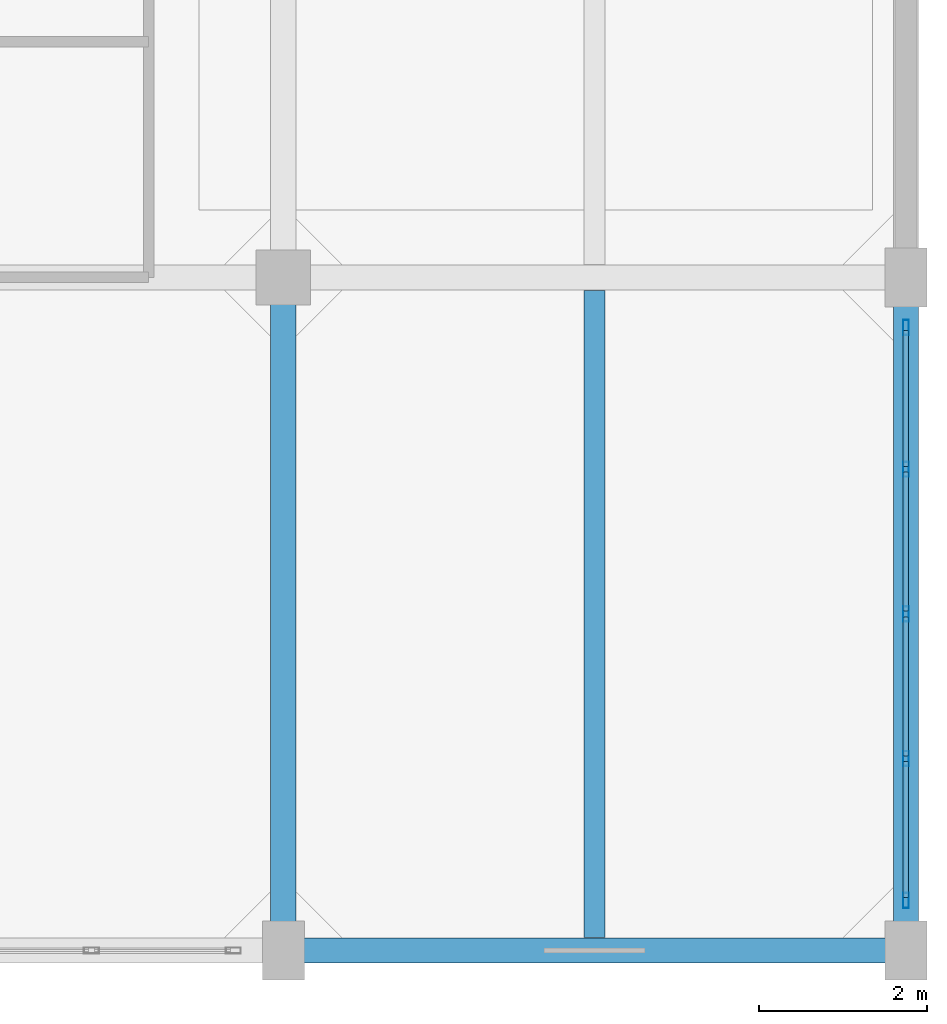
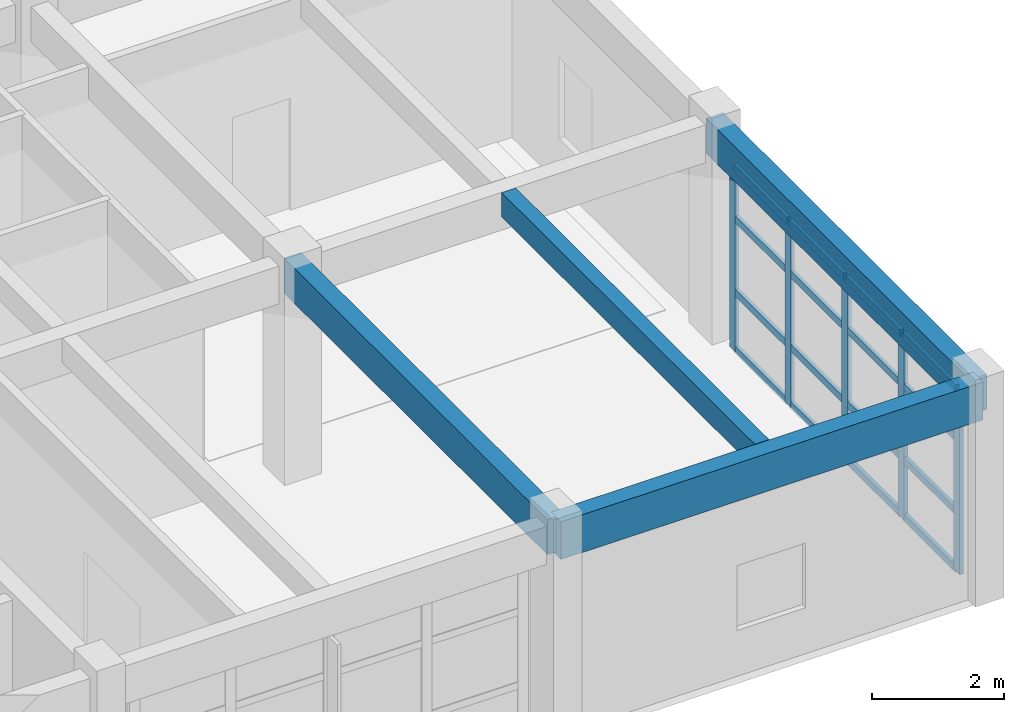
# One storey, part 5 of 16: 21 members, 4 beams, 1 element without a shape of its own.
"""IFC4 building model written with IfcOpenShell, lengths in metres."""

from ifc_helpers import new_model, si_unit, direction, frame, origin, origin_2d, place, context, subcontext, project, spatial, rectangle, hollow_rectangle, extrude, material, layer, layer_set, material_profile, profile_set, type_object, element, aggregate, save


model = new_model("IFC4")

# Units and contexts
model_context = context("Model", 3, precision=1e-05, world=origin(), true_north=direction((0.0, 1.0)))
body_context = subcontext(model_context, "Body", "Model", "MODEL_VIEW")
ifc_project = project(units=[si_unit("LENGTHUNIT", "METRE"), si_unit("AREAUNIT", "SQUARE_METRE"), si_unit("VOLUMEUNIT", "CUBIC_METRE"), si_unit("PLANEANGLEUNIT", "RADIAN"), si_unit("MASSUNIT", "GRAM", prefix="KILO")], contexts=[model_context])

# Site, building, storey
site_placement = place(None, origin())
site = spatial("IfcSite", under=ifc_project, at=site_placement, CompositionType="ELEMENT")
building_placement = place(site_placement, origin())
building = spatial("IfcBuilding", under=site, at=building_placement, Name="Canggui Botanical Conservatory", CompositionType="ELEMENT")
storey_placement = place(building_placement, frame((0.0, 0.0, 65.39990234375)))
storey = spatial("IfcBuildingStorey", under=building, at=storey_placement, Name="L16", CompositionType="ELEMENT", Elevation=65.39990234375)

# Beams
ifc_material_1 = material(Name="Concrete C35", Category="concrete")
ifc_material_profile_1 = material_profile(ifc_material_1, rectangle(XDim=0.25, YDim=0.449951171875, at=origin_2d()), Name="RB 250x450")
ifc_profile_set_1 = profile_set([ifc_material_profile_1], Name="Concrete C35")
beam_type_1 = type_object("IfcBeamType", Name="BM-JST05", PredefinedType="JOIST", material=ifc_profile_set_1)
beam_1_placement = place(storey_placement, frame((173.699951171875, 42.155029296875, 3.735107421875), z_axis=(0.0, 1.0, 0.0), x_axis=(-1.0, 0.0, 0.0)))
element("IfcBeam", 1, at=beam_1_placement, inside=storey, type_object=beam_type_1, Name="Secondary Floor Joist L16-4-1", PredefinedType="JOIST", context=body_context, shape_type="SweptSolid", body=[
    extrude(rectangle(XDim=0.25, YDim=0.449951171875, at=origin_2d()), origin(), (0.0, 0.0, 1.0), 7.68994140625),
])
ifc_material_profile_2 = material_profile(ifc_material_1, rectangle(XDim=0.300048828125, YDim=0.699951171875, at=origin_2d()), Name="RB 300x700")
ifc_profile_set_2 = profile_set([ifc_material_profile_2], Name="Concrete C35")
beam_type_2 = type_object("IfcBeamType", Name="BM-KL21", PredefinedType="BEAM", material=ifc_profile_set_2)
beam_2_placement = place(storey_placement, frame((170.0, 42.0, 3.610107421875), z_axis=(1.0, 0.0, 0.0), x_axis=(0.0, 1.0, 0.0)))
element("IfcBeam", 2, at=beam_2_placement, inside=storey, type_object=beam_type_2, Name="Frame Girder L16 Y42-4", PredefinedType="BEAM", context=body_context, shape_type="SweptSolid", body=[
    extrude(rectangle(XDim=0.300048828125, YDim=0.699951171875, at=origin_2d()), origin(), (0.0, 0.0, 1.0), 7.39990234375),
])
ifc_material_profile_3 = material_profile(ifc_material_1, rectangle(XDim=0.300048828125, YDim=0.64990234375, at=origin_2d()), Name="RB 300x650")
ifc_profile_set_3 = profile_set([ifc_material_profile_3], Name="Concrete C35")
beam_type_3 = type_object("IfcBeamType", Name="BM-KL22", PredefinedType="BEAM", material=ifc_profile_set_3)
for number, where, z_axis, x_axis, name in (
    (3, (170.0, 42.0, 3.635009765625), (0.0, 1.0, 0.0), (-1.0, 0.0, 0.0), "Frame Girder L16 X170-1"),
    (4, (177.39990234375, 42.0, 3.635009765625), (0.0, 1.0, 0.0), (-1.0, 0.0, 0.0), "Frame Girder L16 X178-1"),
):
    element("IfcBeam", number, at=place(storey_placement, frame(where, z_axis=z_axis, x_axis=x_axis)), inside=storey, type_object=beam_type_3, Name=name, PredefinedType="BEAM", context=body_context, shape_type="SweptSolid", body=[
        extrude(rectangle(XDim=0.300048828125, YDim=0.64990234375, at=origin_2d()), origin(), (0.0, 0.0, 1.0), 8.0),
    ])

# Curtain wall, members
ifc_material_2 = material(Name="Thermally Broken Aluminium", Category="aluminium")
ifc_layer = layer(ifc_material_2, 0.179931640625, Name="Thermally Broken Aluminium", Category="aluminium")
ifc_layer_set = layer_set([ifc_layer], Name="Thermally Broken Aluminium")
curtain_wall_type = type_object("IfcCurtainWallType", Name="CW-UNIT-A", PredefinedType="USERDEFINED", material=ifc_layer_set)
curtain_wall_placement = place(storey_placement, origin())
curtain_wall = element("IfcCurtainWall", 5, at=curtain_wall_placement, inside=storey, type_object=curtain_wall_type, Name="Facade Curtain Wall CW-TWR-L16-12", ObjectType="UNITISED CURTAIN WALL", PredefinedType="USERDEFINED")
ifc_material_profile_4 = material_profile(ifc_material_2, hollow_rectangle(XDim=0.070068359375, YDim=0.179931640625, WallThickness=0.00390625, at=origin_2d()), Name="CWM 70x180x4")
ifc_profile_set_4 = profile_set([ifc_material_profile_4], Name="Thermally Broken Aluminium")
member_type_1 = type_object("IfcMemberType", Name="CWM-01", PredefinedType="MULLION", material=ifc_profile_set_4)
member_1_placement = place(storey_placement, frame((177.39990234375, 49.405029296875, 0.0), z_axis=(0.0, 0.0, 1.0), x_axis=(1.0, 0.0, 0.0)))
member_1 = element("IfcMember", 6, at=member_1_placement, type_object=member_type_1, Name="CW-01 mullion 1", PredefinedType="MULLION", context=body_context, shape_type="SweptSolid", body=[
    extrude(hollow_rectangle(XDim=0.070068359375, YDim=0.179931640625, WallThickness=0.00390625, at=origin_2d()), origin(), (0.0, 0.0, 1.0), 3.41015625),
])
member_2_placement = place(storey_placement, frame((177.39990234375, 47.719970703125, 0.0), z_axis=(0.0, 0.0, 1.0), x_axis=(1.0, 0.0, 0.0)))
member_2 = element("IfcMember", 7, at=member_2_placement, type_object=member_type_1, Name="CW-01 mullion 2", PredefinedType="MULLION", context=body_context, shape_type="SweptSolid", body=[
    extrude(hollow_rectangle(XDim=0.070068359375, YDim=0.179931640625, WallThickness=0.00390625, at=origin_2d()), origin(), (0.0, 0.0, 1.0), 3.41015625),
])
member_3_placement = place(storey_placement, frame((177.39990234375, 46.0, 0.0), z_axis=(0.0, 0.0, 1.0), x_axis=(1.0, 0.0, 0.0)))
member_3 = element("IfcMember", 8, at=member_3_placement, type_object=member_type_1, Name="CW-01 mullion 3", PredefinedType="MULLION", context=body_context, shape_type="SweptSolid", body=[
    extrude(hollow_rectangle(XDim=0.070068359375, YDim=0.179931640625, WallThickness=0.00390625, at=origin_2d()), origin(), (0.0, 0.0, 1.0), 3.41015625),
])
member_4_placement = place(storey_placement, frame((177.39990234375, 44.280029296875, 0.0), z_axis=(0.0, 0.0, 1.0), x_axis=(1.0, 0.0, 0.0)))
member_4 = element("IfcMember", 9, at=member_4_placement, type_object=member_type_1, Name="CW-01 mullion 4", PredefinedType="MULLION", context=body_context, shape_type="SweptSolid", body=[
    extrude(hollow_rectangle(XDim=0.070068359375, YDim=0.179931640625, WallThickness=0.00390625, at=origin_2d()), origin(), (0.0, 0.0, 1.0), 3.41015625),
])
member_5_placement = place(storey_placement, frame((177.39990234375, 42.594970703125, 0.0), z_axis=(0.0, 0.0, 1.0), x_axis=(1.0, 0.0, 0.0)))
member_5 = element("IfcMember", 10, at=member_5_placement, type_object=member_type_1, Name="CW-01 mullion 5", PredefinedType="MULLION", context=body_context, shape_type="SweptSolid", body=[
    extrude(hollow_rectangle(XDim=0.070068359375, YDim=0.179931640625, WallThickness=0.00390625, at=origin_2d()), origin(), (0.0, 0.0, 1.0), 3.41015625),
])
ifc_material_profile_5 = material_profile(ifc_material_2, hollow_rectangle(XDim=0.06494140625, YDim=0.1298828125, WallThickness=0.00341796875, at=origin_2d()), Name="CWT 65x130x3.5")
ifc_profile_set_5 = profile_set([ifc_material_profile_5], Name="Thermally Broken Aluminium")
member_type_2 = type_object("IfcMemberType", Name="CWT-01", PredefinedType="USERDEFINED", material=ifc_profile_set_5)
member_6_placement = place(storey_placement, frame((177.39990234375, 49.3701171875, 0.03271484375), z_axis=(0.0, -1.0, 0.0), x_axis=(1.0, 0.0, 0.0)))
member_6 = element("IfcMember", 11, at=member_6_placement, type_object=member_type_2, Name="CW-01 transom 1.1", ObjectType="TRANSOM", PredefinedType="USERDEFINED", context=body_context, shape_type="SweptSolid", body=[
    extrude(hollow_rectangle(XDim=0.06494140625, YDim=0.1298828125, WallThickness=0.00341796875, at=origin_2d()), origin(), (0.0, 0.0, 1.0), 1.615234375),
])
member_7_placement = place(storey_placement, frame((177.39990234375, 49.3701171875, 1.09130859375), z_axis=(0.0, -1.0, 0.0), x_axis=(1.0, 0.0, 0.0)))
member_7 = element("IfcMember", 12, at=member_7_placement, type_object=member_type_2, Name="CW-01 transom 1.2", ObjectType="TRANSOM", PredefinedType="USERDEFINED", context=body_context, shape_type="SweptSolid", body=[
    extrude(hollow_rectangle(XDim=0.06494140625, YDim=0.1298828125, WallThickness=0.00341796875, at=origin_2d()), origin(), (0.0, 0.0, 1.0), 1.615234375),
])
member_8_placement = place(storey_placement, frame((177.39990234375, 49.3701171875, 2.455322265625), z_axis=(0.0, -1.0, 0.0), x_axis=(1.0, 0.0, 0.0)))
member_8 = element("IfcMember", 13, at=member_8_placement, type_object=member_type_2, Name="CW-01 transom 1.3", ObjectType="TRANSOM", PredefinedType="USERDEFINED", context=body_context, shape_type="SweptSolid", body=[
    extrude(hollow_rectangle(XDim=0.06494140625, YDim=0.1298828125, WallThickness=0.00341796875, at=origin_2d()), origin(), (0.0, 0.0, 1.0), 1.615234375),
])
member_9_placement = place(storey_placement, frame((177.39990234375, 49.3701171875, 3.377685546875), z_axis=(0.0, -1.0, 0.0), x_axis=(1.0, 0.0, 0.0)))
member_9 = element("IfcMember", 14, at=member_9_placement, type_object=member_type_2, Name="CW-01 transom 1.4", ObjectType="TRANSOM", PredefinedType="USERDEFINED", context=body_context, shape_type="SweptSolid", body=[
    extrude(hollow_rectangle(XDim=0.06494140625, YDim=0.1298828125, WallThickness=0.00341796875, at=origin_2d()), origin(), (0.0, 0.0, 1.0), 1.615234375),
])
member_10_placement = place(storey_placement, frame((177.39990234375, 47.68505859375, 0.03271484375), z_axis=(0.0, -1.0, 0.0), x_axis=(1.0, 0.0, 0.0)))
member_10 = element("IfcMember", 15, at=member_10_placement, type_object=member_type_2, Name="CW-01 transom 2.1", ObjectType="TRANSOM", PredefinedType="USERDEFINED", context=body_context, shape_type="SweptSolid", body=[
    extrude(hollow_rectangle(XDim=0.06494140625, YDim=0.1298828125, WallThickness=0.00341796875, at=origin_2d()), origin(), (0.0, 0.0, 1.0), 1.650146484375),
])
member_11_placement = place(storey_placement, frame((177.39990234375, 47.68505859375, 1.09130859375), z_axis=(0.0, -1.0, 0.0), x_axis=(1.0, 0.0, 0.0)))
member_11 = element("IfcMember", 16, at=member_11_placement, type_object=member_type_2, Name="CW-01 transom 2.2", ObjectType="TRANSOM", PredefinedType="USERDEFINED", context=body_context, shape_type="SweptSolid", body=[
    extrude(hollow_rectangle(XDim=0.06494140625, YDim=0.1298828125, WallThickness=0.00341796875, at=origin_2d()), origin(), (0.0, 0.0, 1.0), 1.650146484375),
])
member_12_placement = place(storey_placement, frame((177.39990234375, 47.68505859375, 2.455322265625), z_axis=(0.0, -1.0, 0.0), x_axis=(1.0, 0.0, 0.0)))
member_12 = element("IfcMember", 17, at=member_12_placement, type_object=member_type_2, Name="CW-01 transom 2.3", ObjectType="TRANSOM", PredefinedType="USERDEFINED", context=body_context, shape_type="SweptSolid", body=[
    extrude(hollow_rectangle(XDim=0.06494140625, YDim=0.1298828125, WallThickness=0.00341796875, at=origin_2d()), origin(), (0.0, 0.0, 1.0), 1.650146484375),
])
member_13_placement = place(storey_placement, frame((177.39990234375, 47.68505859375, 3.377685546875), z_axis=(0.0, -1.0, 0.0), x_axis=(1.0, 0.0, 0.0)))
member_13 = element("IfcMember", 18, at=member_13_placement, type_object=member_type_2, Name="CW-01 transom 2.4", ObjectType="TRANSOM", PredefinedType="USERDEFINED", context=body_context, shape_type="SweptSolid", body=[
    extrude(hollow_rectangle(XDim=0.06494140625, YDim=0.1298828125, WallThickness=0.00341796875, at=origin_2d()), origin(), (0.0, 0.0, 1.0), 1.650146484375),
])
member_14_placement = place(storey_placement, frame((177.39990234375, 45.965087890625, 0.03271484375), z_axis=(0.0, -1.0, 0.0), x_axis=(1.0, 0.0, 0.0)))
member_14 = element("IfcMember", 19, at=member_14_placement, type_object=member_type_2, Name="CW-01 transom 3.1", ObjectType="TRANSOM", PredefinedType="USERDEFINED", context=body_context, shape_type="SweptSolid", body=[
    extrude(hollow_rectangle(XDim=0.06494140625, YDim=0.1298828125, WallThickness=0.00341796875, at=origin_2d()), origin(), (0.0, 0.0, 1.0), 1.650146484375),
])
member_15_placement = place(storey_placement, frame((177.39990234375, 45.965087890625, 1.09130859375), z_axis=(0.0, -1.0, 0.0), x_axis=(1.0, 0.0, 0.0)))
member_15 = element("IfcMember", 20, at=member_15_placement, type_object=member_type_2, Name="CW-01 transom 3.2", ObjectType="TRANSOM", PredefinedType="USERDEFINED", context=body_context, shape_type="SweptSolid", body=[
    extrude(hollow_rectangle(XDim=0.06494140625, YDim=0.1298828125, WallThickness=0.00341796875, at=origin_2d()), origin(), (0.0, 0.0, 1.0), 1.650146484375),
])
member_16_placement = place(storey_placement, frame((177.39990234375, 45.965087890625, 2.455322265625), z_axis=(0.0, -1.0, 0.0), x_axis=(1.0, 0.0, 0.0)))
member_16 = element("IfcMember", 21, at=member_16_placement, type_object=member_type_2, Name="CW-01 transom 3.3", ObjectType="TRANSOM", PredefinedType="USERDEFINED", context=body_context, shape_type="SweptSolid", body=[
    extrude(hollow_rectangle(XDim=0.06494140625, YDim=0.1298828125, WallThickness=0.00341796875, at=origin_2d()), origin(), (0.0, 0.0, 1.0), 1.650146484375),
])
member_17_placement = place(storey_placement, frame((177.39990234375, 45.965087890625, 3.377685546875), z_axis=(0.0, -1.0, 0.0), x_axis=(1.0, 0.0, 0.0)))
member_17 = element("IfcMember", 22, at=member_17_placement, type_object=member_type_2, Name="CW-01 transom 3.4", ObjectType="TRANSOM", PredefinedType="USERDEFINED", context=body_context, shape_type="SweptSolid", body=[
    extrude(hollow_rectangle(XDim=0.06494140625, YDim=0.1298828125, WallThickness=0.00341796875, at=origin_2d()), origin(), (0.0, 0.0, 1.0), 1.650146484375),
])
member_18_placement = place(storey_placement, frame((177.39990234375, 44.2451171875, 0.03271484375), z_axis=(0.0, -1.0, 0.0), x_axis=(1.0, 0.0, 0.0)))
member_18 = element("IfcMember", 23, at=member_18_placement, type_object=member_type_2, Name="CW-01 transom 4.1", ObjectType="TRANSOM", PredefinedType="USERDEFINED", context=body_context, shape_type="SweptSolid", body=[
    extrude(hollow_rectangle(XDim=0.06494140625, YDim=0.1298828125, WallThickness=0.00341796875, at=origin_2d()), origin(), (0.0, 0.0, 1.0), 1.615234375),
])
member_19_placement = place(storey_placement, frame((177.39990234375, 44.2451171875, 1.09130859375), z_axis=(0.0, -1.0, 0.0), x_axis=(1.0, 0.0, 0.0)))
member_19 = element("IfcMember", 24, at=member_19_placement, type_object=member_type_2, Name="CW-01 transom 4.2", ObjectType="TRANSOM", PredefinedType="USERDEFINED", context=body_context, shape_type="SweptSolid", body=[
    extrude(hollow_rectangle(XDim=0.06494140625, YDim=0.1298828125, WallThickness=0.00341796875, at=origin_2d()), origin(), (0.0, 0.0, 1.0), 1.615234375),
])
member_20_placement = place(storey_placement, frame((177.39990234375, 44.2451171875, 2.455322265625), z_axis=(0.0, -1.0, 0.0), x_axis=(1.0, 0.0, 0.0)))
member_20 = element("IfcMember", 25, at=member_20_placement, type_object=member_type_2, Name="CW-01 transom 4.3", ObjectType="TRANSOM", PredefinedType="USERDEFINED", context=body_context, shape_type="SweptSolid", body=[
    extrude(hollow_rectangle(XDim=0.06494140625, YDim=0.1298828125, WallThickness=0.00341796875, at=origin_2d()), origin(), (0.0, 0.0, 1.0), 1.615234375),
])
member_21_placement = place(storey_placement, frame((177.39990234375, 44.2451171875, 3.377685546875), z_axis=(0.0, -1.0, 0.0), x_axis=(1.0, 0.0, 0.0)))
member_21 = element("IfcMember", 26, at=member_21_placement, type_object=member_type_2, Name="CW-01 transom 4.4", ObjectType="TRANSOM", PredefinedType="USERDEFINED", context=body_context, shape_type="SweptSolid", body=[
    extrude(hollow_rectangle(XDim=0.06494140625, YDim=0.1298828125, WallThickness=0.00341796875, at=origin_2d()), origin(), (0.0, 0.0, 1.0), 1.615234375),
])
aggregate(curtain_wall, [member_1, member_2, member_3, member_4, member_5, member_6, member_7, member_8, member_9, member_10, member_11, member_12, member_13, member_14, member_15, member_16, member_17, member_18, member_19, member_20, member_21])

save(model, "model.ifc")
